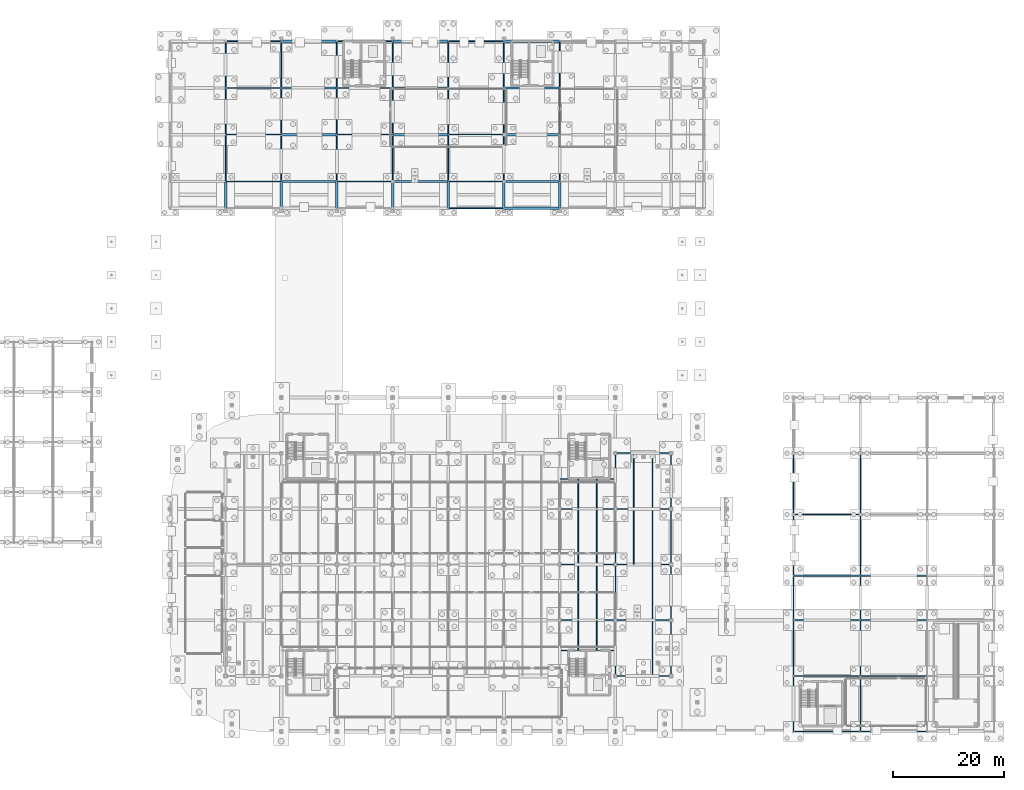
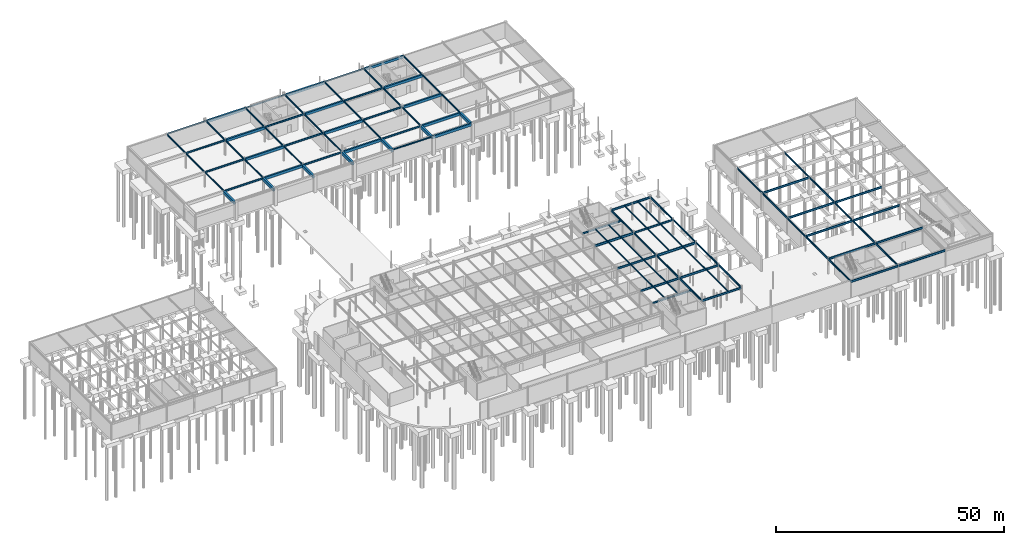
# One storey, part 58 of 75: 105 beams.
"""IFC4 building model written with IfcOpenShell, lengths in metres."""

from ifc_helpers import new_model, si_unit, derived_unit, direction, frame, origin, origin_2d_with_axis, place, context, subcontext, project, spatial, rectangle, i_section, extrude, material, material_profile, profile_set, type_object, element, save


model = new_model("IFC4")

# Units and contexts
model_context = context("Model", 3, precision=1e-05, world=origin(), true_north=direction((0.0, 1.0)))
body_context = subcontext(model_context, "Body", "Model", "MODEL_VIEW")
ifc_project = project(units=[si_unit("LENGTHUNIT", "METRE"), si_unit("AREAUNIT", "SQUARE_METRE"), si_unit("VOLUMEUNIT", "CUBIC_METRE"), si_unit("PLANEANGLEUNIT", "RADIAN"), si_unit("MASSUNIT", "GRAM", prefix="KILO"), derived_unit("THERMALTRANSMITTANCEUNIT", [(si_unit("POWERUNIT", "WATT"), 1), (si_unit("LENGTHUNIT", "METRE"), -2), (si_unit("THERMODYNAMICTEMPERATUREUNIT", "KELVIN"), -1)])], contexts=[model_context])

# Site, building, storey
site_placement = place(None, origin())
site = spatial("IfcSite", under=ifc_project, at=site_placement, CompositionType="ELEMENT")
building_placement = place(site_placement, origin())
building = spatial("IfcBuilding", under=site, at=building_placement, Name="Cinnabar Yard Market Hall", CompositionType="ELEMENT")
storey_placement = place(building_placement, frame((0.0, 0.0, -4.5)))
storey = spatial("IfcBuildingStorey", under=building, at=storey_placement, Name="B1", CompositionType="ELEMENT", Elevation=-4.5)

# Beams
ifc_material_1 = material(Name="Steel Grade 300 (300 MPa)", Category="steel")
ifc_material_profile_1 = material_profile(ifc_material_1, i_section(OverallWidth=0.208984375, OverallDepth=0.532958984375, WebThickness=0.01025390625, FlangeThickness=0.015625, FilletRadius=0.013916015625, at=origin_2d_with_axis()), Name="530UB92.4")
ifc_profile_set_1 = profile_set([ifc_material_profile_1], Name="Steel Grade 300 (300 MPa)")
beam_type_1 = type_object("IfcBeamType", Name="BM-B03", PredefinedType="BEAM", material=ifc_profile_set_1)
for number, where, z_axis, x_axis, name in (
    (1, (136.0, 34.0, 3.93359375), (1.0, 0.0, 0.0), (0.0, 1.0, 0.0), "L00 Primary Girder X 00029"),
    (2, (146.0, 24.0, 3.93359375), (1.0, 0.0, 0.0), (0.0, 1.0, 0.0), "L00 Primary Girder X 00032"),
    (3, (146.0, 64.0, 3.93359375), (1.0, 0.0, 0.0), (0.0, 1.0, 0.0), "L00 Primary Girder X 00036"),
):
    element("IfcBeam", number, at=place(storey_placement, frame(where, z_axis=z_axis, x_axis=x_axis)), inside=storey, type_object=beam_type_1, Name=name, PredefinedType="BEAM", context=body_context, shape_type="SweptSolid", body=[
        extrude(i_section(OverallWidth=0.208984375, OverallDepth=0.532958984375, WebThickness=0.01025390625, FlangeThickness=0.015625, FilletRadius=0.013916015625, at=origin_2d_with_axis()), origin(), (0.0, 0.0, 1.0), 10.0),
    ])
for number, where, z_axis, x_axis, name in (
    (4, (178.0, 14.0, 3.93359375), (1.0, 0.0, 0.0), (0.0, 1.0, 0.0), "V4 Heavy Deck Girder X 01484"),
    (5, (178.0, 24.0, 3.93359375), (1.0, 0.0, 0.0), (0.0, 1.0, 0.0), "V4 Heavy Deck Girder X 01485"),
    (6, (178.0, 34.0, 3.93359375), (1.0, 0.0, 0.0), (0.0, 1.0, 0.0), "V4 Heavy Deck Girder X 01486"),
    (7, (178.0, 42.0, 3.93359375), (1.0, 0.0, 0.0), (0.0, 1.0, 0.0), "V4 Heavy Deck Girder X 01487"),
    (8, (178.0, 53.0, 4.013427734375), (1.0, 0.0, 0.0), (0.0, 1.0, 0.0), "V4 Heavy Deck Girder X 01488"),
    (9, (190.0, 14.0, 3.93359375), (1.0, 0.0, 0.0), (0.0, 1.0, 0.0), "V4 Heavy Deck Girder X 01496"),
    (10, (190.0, 24.0, 3.93359375), (1.0, 0.0, 0.0), (0.0, 1.0, 0.0), "V4 Heavy Deck Girder X 01497"),
    (11, (190.0, 34.0, 3.93359375), (1.0, 0.0, 0.0), (0.0, 1.0, 0.0), "V4 Heavy Deck Girder X 01498"),
    (12, (190.0, 42.0, 3.93359375), (1.0, 0.0, 0.0), (0.0, 1.0, 0.0), "V4 Heavy Deck Girder X 01499"),
):
    element("IfcBeam", number, at=place(storey_placement, frame(where, z_axis=z_axis, x_axis=x_axis)), inside=storey, type_object=beam_type_1, Name=name, PredefinedType="BEAM", context=body_context, shape_type="SweptSolid", body=[
        extrude(i_section(OverallWidth=0.208984375, OverallDepth=0.532958984375, WebThickness=0.01025390625, FlangeThickness=0.015625, FilletRadius=0.013916015625, at=origin_2d_with_axis()), origin(), (0.0, 0.0, 1.0), 12.0),
    ])
ifc_material_profile_2 = material_profile(ifc_material_1, i_section(OverallWidth=0.19091796875, OverallDepth=0.46044921875, WebThickness=0.010009765625, FlangeThickness=0.01611328125, FilletRadius=0.011474609375, at=origin_2d_with_axis()), Name="460UB82.1")
ifc_profile_set_2 = profile_set([ifc_material_profile_2], Name="Steel Grade 300 (300 MPa)")
beam_type_2 = type_object("IfcBeamType", Name="BM-B04", PredefinedType="BEAM", material=ifc_profile_set_2)
for number, where, z_axis, x_axis, name in (
    (13, (146.0, 24.0, 3.9697265625), (0.0, 1.0, 0.0), (-1.0, 0.0, 0.0), "L00 Primary Girder Y 00120"),
    (14, (146.0, 34.0, 3.9697265625), (0.0, 1.0, 0.0), (-1.0, 0.0, 0.0), "L00 Primary Girder Y 00122"),
    (15, (146.0, 44.0, 3.9697265625), (0.0, 1.0, 0.0), (-1.0, 0.0, 0.0), "L00 Primary Girder Y 00124"),
    (16, (146.0, 54.0, 3.9697265625), (0.0, 1.0, 0.0), (-1.0, 0.0, 0.0), "L00 Primary Girder Y 00127"),
    (17, (156.0, 24.0, 3.9697265625), (0.0, 1.0, 0.0), (-1.0, 0.0, 0.0), "L00 Primary Girder Y 00130"),
    (18, (156.0, 34.0, 3.9697265625), (0.0, 1.0, 0.0), (-1.0, 0.0, 0.0), "L00 Primary Girder Y 00131"),
    (19, (156.0, 44.0, 3.9697265625), (0.0, 1.0, 0.0), (-1.0, 0.0, 0.0), "L00 Primary Girder Y 00132"),
    (20, (156.0, 54.0, 3.9697265625), (0.0, 1.0, 0.0), (-1.0, 0.0, 0.0), "L00 Primary Girder Y 00133"),
    (21, (178.0, 14.0, 3.9697265625), (0.0, 1.0, 0.0), (-1.0, 0.0, 0.0), "V4 Heavy Deck Girder Y 01520"),
    (22, (178.0, 24.0, 3.9697265625), (0.0, 1.0, 0.0), (-1.0, 0.0, 0.0), "V4 Heavy Deck Girder Y 01522"),
):
    element("IfcBeam", number, at=place(storey_placement, frame(where, z_axis=z_axis, x_axis=x_axis)), inside=storey, type_object=beam_type_2, Name=name, PredefinedType="BEAM", context=body_context, shape_type="SweptSolid", body=[
        extrude(i_section(OverallWidth=0.19091796875, OverallDepth=0.46044921875, WebThickness=0.010009765625, FlangeThickness=0.01611328125, FilletRadius=0.011474609375, at=origin_2d_with_axis()), origin(), (0.0, 0.0, 1.0), 10.0),
    ])
beam_1_placement = place(storey_placement, frame((178.0, 34.0, 3.9697265625), z_axis=(0.0, 1.0, 0.0), x_axis=(-1.0, 0.0, 0.0)))
element("IfcBeam", 23, at=beam_1_placement, inside=storey, type_object=beam_type_2, Name="V4 Heavy Deck Girder Y 01524", PredefinedType="BEAM", context=body_context, shape_type="SweptSolid", body=[
    extrude(i_section(OverallWidth=0.19091796875, OverallDepth=0.46044921875, WebThickness=0.010009765625, FlangeThickness=0.01611328125, FilletRadius=0.011474609375, at=origin_2d_with_axis()), origin(), (0.0, 0.0, 1.0), 8.0),
])
for number, where, z_axis, x_axis, name in (
    (24, (178.0, 42.0, 4.0498046875), (0.0, 1.0, 0.0), (-1.0, 0.0, 0.0), "V4 Heavy Deck Girder Y 01526"),
    (25, (178.0, 53.0, 4.0498046875), (0.0, 1.0, 0.0), (-1.0, 0.0, 0.0), "V4 Heavy Deck Girder Y 01527"),
):
    element("IfcBeam", number, at=place(storey_placement, frame(where, z_axis=z_axis, x_axis=x_axis)), inside=storey, type_object=beam_type_2, Name=name, PredefinedType="BEAM", context=body_context, shape_type="SweptSolid", body=[
        extrude(i_section(OverallWidth=0.19091796875, OverallDepth=0.46044921875, WebThickness=0.010009765625, FlangeThickness=0.01611328125, FilletRadius=0.011474609375, at=origin_2d_with_axis()), origin(), (0.0, 0.0, 1.0), 11.0),
    ])
for number, where, z_axis, x_axis, name in (
    (26, (190.0, 14.0, 3.9697265625), (0.0, 1.0, 0.0), (-1.0, 0.0, 0.0), "V4 Heavy Deck Girder Y 01529"),
    (27, (190.0, 24.0, 3.9697265625), (0.0, 1.0, 0.0), (-1.0, 0.0, 0.0), "V4 Heavy Deck Girder Y 01531"),
):
    element("IfcBeam", number, at=place(storey_placement, frame(where, z_axis=z_axis, x_axis=x_axis)), inside=storey, type_object=beam_type_2, Name=name, PredefinedType="BEAM", context=body_context, shape_type="SweptSolid", body=[
        extrude(i_section(OverallWidth=0.19091796875, OverallDepth=0.46044921875, WebThickness=0.010009765625, FlangeThickness=0.01611328125, FilletRadius=0.011474609375, at=origin_2d_with_axis()), origin(), (0.0, 0.0, 1.0), 10.0),
    ])
beam_2_placement = place(storey_placement, frame((190.0, 34.0, 3.9697265625), z_axis=(0.0, 1.0, 0.0), x_axis=(-1.0, 0.0, 0.0)))
element("IfcBeam", 28, at=beam_2_placement, inside=storey, type_object=beam_type_2, Name="V4 Heavy Deck Girder Y 01533", PredefinedType="BEAM", context=body_context, shape_type="SweptSolid", body=[
    extrude(i_section(OverallWidth=0.19091796875, OverallDepth=0.46044921875, WebThickness=0.010009765625, FlangeThickness=0.01611328125, FilletRadius=0.011474609375, at=origin_2d_with_axis()), origin(), (0.0, 0.0, 1.0), 8.0),
])
for number, where, z_axis, x_axis, name in (
    (29, (190.0, 42.0, 4.0498046875), (0.0, 1.0, 0.0), (-1.0, 0.0, 0.0), "V4 Heavy Deck Girder Y 01535"),
    (30, (190.0, 53.0, 4.0498046875), (0.0, 1.0, 0.0), (-1.0, 0.0, 0.0), "V4 Heavy Deck Girder Y 01536"),
):
    element("IfcBeam", number, at=place(storey_placement, frame(where, z_axis=z_axis, x_axis=x_axis)), inside=storey, type_object=beam_type_2, Name=name, PredefinedType="BEAM", context=body_context, shape_type="SweptSolid", body=[
        extrude(i_section(OverallWidth=0.19091796875, OverallDepth=0.46044921875, WebThickness=0.010009765625, FlangeThickness=0.01611328125, FilletRadius=0.011474609375, at=origin_2d_with_axis()), origin(), (0.0, 0.0, 1.0), 11.0),
    ])
ifc_material_profile_3 = material_profile(ifc_material_1, i_section(OverallWidth=0.18994140625, OverallDepth=0.453857421875, WebThickness=0.008544921875, FlangeThickness=0.0126953125, FilletRadius=0.011474609375, at=origin_2d_with_axis()), Name="460UB67.1")
ifc_profile_set_3 = profile_set([ifc_material_profile_3], Name="Steel Grade 300 (300 MPa)")
beam_type_3 = type_object("IfcBeamType", Name="BM-B05", PredefinedType="BEAM", material=ifc_profile_set_3)
for number, where, z_axis, x_axis, name in (
    (31, (136.080078125, 28.60009765625, 3.97314453125), (1.0, 0.0, 0.0), (0.0, 1.0, 0.0), "B1 Core Trimmer Girder 00140"),
    (32, (136.080078125, 59.39990234375, 3.97314453125), (1.0, 0.0, 0.0), (0.0, 1.0, 0.0), "B1 Core Trimmer Girder 00143"),
):
    element("IfcBeam", number, at=place(storey_placement, frame(where, z_axis=z_axis, x_axis=x_axis)), inside=storey, type_object=beam_type_3, Name=name, PredefinedType="BEAM", context=body_context, shape_type="SweptSolid", body=[
        extrude(i_section(OverallWidth=0.18994140625, OverallDepth=0.453857421875, WebThickness=0.008544921875, FlangeThickness=0.0126953125, FilletRadius=0.011474609375, at=origin_2d_with_axis()), origin(), (0.0, 0.0, 1.0), 9.83984375),
    ])
for number, where, z_axis, x_axis, name in (
    (33, (76.06005859375, 112.800048828125, 3.97314453125), (1.0, 0.0, 0.0), (0.0, 1.0, 0.0), "V3 B1 Girder X 00771"),
    (34, (76.06005859375, 121.199951171875, 3.97314453125), (1.0, 0.0, 0.0), (0.0, 1.0, 0.0), "V3 B1 Girder X 00772"),
    (35, (76.06005859375, 129.60009765625, 3.97314453125), (1.0, 0.0, 0.0), (0.0, 1.0, 0.0), "V3 B1 Girder X 00773"),
    (36, (96.06005859375, 112.800048828125, 3.97314453125), (1.0, 0.0, 0.0), (0.0, 1.0, 0.0), "V3 B1 Girder X 00781"),
    (37, (96.06005859375, 121.199951171875, 3.97314453125), (1.0, 0.0, 0.0), (0.0, 1.0, 0.0), "V3 B1 Girder X 00782"),
    (38, (96.06005859375, 129.60009765625, 3.97314453125), (1.0, 0.0, 0.0), (0.0, 1.0, 0.0), "V3 B1 Girder X 00783"),
    (39, (116.06005859375, 112.800048828125, 3.97314453125), (1.0, 0.0, 0.0), (0.0, 1.0, 0.0), "V3 B1 Girder X 00791"),
    (40, (116.06005859375, 121.199951171875, 3.97314453125), (1.0, 0.0, 0.0), (0.0, 1.0, 0.0), "V3 B1 Girder X 00792"),
    (41, (116.06005859375, 129.60009765625, 3.97314453125), (1.0, 0.0, 0.0), (0.0, 1.0, 0.0), "V3 B1 Girder X 00793"),
):
    element("IfcBeam", number, at=place(storey_placement, frame(where, z_axis=z_axis, x_axis=x_axis)), inside=storey, type_object=beam_type_3, Name=name, PredefinedType="BEAM", context=body_context, shape_type="SweptSolid", body=[
        extrude(i_section(OverallWidth=0.18994140625, OverallDepth=0.453857421875, WebThickness=0.008544921875, FlangeThickness=0.0126953125, FilletRadius=0.011474609375, at=origin_2d_with_axis()), origin(), (0.0, 0.0, 1.0), 9.8798828125),
    ])
ifc_material_profile_4 = material_profile(ifc_material_1, i_section(OverallWidth=0.177978515625, OverallDepth=0.406494140625, WebThickness=0.0078125, FlangeThickness=0.0126953125, FilletRadius=0.011474609375, at=origin_2d_with_axis()), Name="410UB59.7")
ifc_profile_set_4 = profile_set([ifc_material_profile_4], Name="Steel Grade 300 (300 MPa)")
beam_type_4 = type_object("IfcBeamType", Name="BM-B06", PredefinedType="BEAM", material=ifc_profile_set_4)
beam_3_placement = place(storey_placement, frame((76.0, 112.860107421875, 3.996826171875), z_axis=(0.0, 1.0, 0.0), x_axis=(-1.0, 0.0, 0.0)))
element("IfcBeam", 42, at=beam_3_placement, inside=storey, type_object=beam_type_4, Name="V3 B1 Girder Y 00820", PredefinedType="BEAM", context=body_context, shape_type="SweptSolid", body=[
    extrude(i_section(OverallWidth=0.177978515625, OverallDepth=0.406494140625, WebThickness=0.0078125, FlangeThickness=0.0126953125, FilletRadius=0.011474609375, at=origin_2d_with_axis()), origin(), (0.0, 0.0, 1.0), 8.27978515625),
])
for number, where, z_axis, x_axis, name in (
    (43, (76.0, 121.260009765625, 3.996826171875), (0.0, 1.0, 0.0), (-1.0, 0.0, 0.0), "V3 B1 Girder Y 00821"),
    (44, (76.0, 129.659912109375, 3.996826171875), (0.0, 1.0, 0.0), (-1.0, 0.0, 0.0), "V3 B1 Girder Y 00822"),
):
    element("IfcBeam", number, at=place(storey_placement, frame(where, z_axis=z_axis, x_axis=x_axis)), inside=storey, type_object=beam_type_4, Name=name, PredefinedType="BEAM", context=body_context, shape_type="SweptSolid", body=[
        extrude(i_section(OverallWidth=0.177978515625, OverallDepth=0.406494140625, WebThickness=0.0078125, FlangeThickness=0.0126953125, FilletRadius=0.011474609375, at=origin_2d_with_axis()), origin(), (0.0, 0.0, 1.0), 8.280029296875),
    ])
beam_4_placement = place(storey_placement, frame((86.0, 112.860107421875, 3.996826171875), z_axis=(0.0, 1.0, 0.0), x_axis=(-1.0, 0.0, 0.0)))
element("IfcBeam", 45, at=beam_4_placement, inside=storey, type_object=beam_type_4, Name="V3 B1 Girder Y 00824", PredefinedType="BEAM", context=body_context, shape_type="SweptSolid", body=[
    extrude(i_section(OverallWidth=0.177978515625, OverallDepth=0.406494140625, WebThickness=0.0078125, FlangeThickness=0.0126953125, FilletRadius=0.011474609375, at=origin_2d_with_axis()), origin(), (0.0, 0.0, 1.0), 8.27978515625),
])
for number, where, z_axis, x_axis, name in (
    (46, (86.0, 121.260009765625, 3.996826171875), (0.0, 1.0, 0.0), (-1.0, 0.0, 0.0), "V3 B1 Girder Y 00825"),
    (47, (86.0, 129.659912109375, 3.996826171875), (0.0, 1.0, 0.0), (-1.0, 0.0, 0.0), "V3 B1 Girder Y 00826"),
):
    element("IfcBeam", number, at=place(storey_placement, frame(where, z_axis=z_axis, x_axis=x_axis)), inside=storey, type_object=beam_type_4, Name=name, PredefinedType="BEAM", context=body_context, shape_type="SweptSolid", body=[
        extrude(i_section(OverallWidth=0.177978515625, OverallDepth=0.406494140625, WebThickness=0.0078125, FlangeThickness=0.0126953125, FilletRadius=0.011474609375, at=origin_2d_with_axis()), origin(), (0.0, 0.0, 1.0), 8.280029296875),
    ])
beam_5_placement = place(storey_placement, frame((96.0, 112.860107421875, 3.996826171875), z_axis=(0.0, 1.0, 0.0), x_axis=(-1.0, 0.0, 0.0)))
element("IfcBeam", 48, at=beam_5_placement, inside=storey, type_object=beam_type_4, Name="V3 B1 Girder Y 00828", PredefinedType="BEAM", context=body_context, shape_type="SweptSolid", body=[
    extrude(i_section(OverallWidth=0.177978515625, OverallDepth=0.406494140625, WebThickness=0.0078125, FlangeThickness=0.0126953125, FilletRadius=0.011474609375, at=origin_2d_with_axis()), origin(), (0.0, 0.0, 1.0), 8.27978515625),
])
for number, where, z_axis, x_axis, name in (
    (49, (96.0, 121.260009765625, 3.996826171875), (0.0, 1.0, 0.0), (-1.0, 0.0, 0.0), "V3 B1 Girder Y 00829"),
    (50, (96.0, 129.659912109375, 3.996826171875), (0.0, 1.0, 0.0), (-1.0, 0.0, 0.0), "V3 B1 Girder Y 00830"),
):
    element("IfcBeam", number, at=place(storey_placement, frame(where, z_axis=z_axis, x_axis=x_axis)), inside=storey, type_object=beam_type_4, Name=name, PredefinedType="BEAM", context=body_context, shape_type="SweptSolid", body=[
        extrude(i_section(OverallWidth=0.177978515625, OverallDepth=0.406494140625, WebThickness=0.0078125, FlangeThickness=0.0126953125, FilletRadius=0.011474609375, at=origin_2d_with_axis()), origin(), (0.0, 0.0, 1.0), 8.280029296875),
    ])
beam_6_placement = place(storey_placement, frame((106.0, 112.860107421875, 3.996826171875), z_axis=(0.0, 1.0, 0.0), x_axis=(-1.0, 0.0, 0.0)))
element("IfcBeam", 51, at=beam_6_placement, inside=storey, type_object=beam_type_4, Name="V3 B1 Girder Y 00832", PredefinedType="BEAM", context=body_context, shape_type="SweptSolid", body=[
    extrude(i_section(OverallWidth=0.177978515625, OverallDepth=0.406494140625, WebThickness=0.0078125, FlangeThickness=0.0126953125, FilletRadius=0.011474609375, at=origin_2d_with_axis()), origin(), (0.0, 0.0, 1.0), 8.27978515625),
])
for number, where, z_axis, x_axis, name in (
    (52, (106.0, 121.260009765625, 3.996826171875), (0.0, 1.0, 0.0), (-1.0, 0.0, 0.0), "V3 B1 Girder Y 00833"),
    (53, (106.0, 129.659912109375, 3.996826171875), (0.0, 1.0, 0.0), (-1.0, 0.0, 0.0), "V3 B1 Girder Y 00834"),
):
    element("IfcBeam", number, at=place(storey_placement, frame(where, z_axis=z_axis, x_axis=x_axis)), inside=storey, type_object=beam_type_4, Name=name, PredefinedType="BEAM", context=body_context, shape_type="SweptSolid", body=[
        extrude(i_section(OverallWidth=0.177978515625, OverallDepth=0.406494140625, WebThickness=0.0078125, FlangeThickness=0.0126953125, FilletRadius=0.011474609375, at=origin_2d_with_axis()), origin(), (0.0, 0.0, 1.0), 8.280029296875),
    ])
beam_7_placement = place(storey_placement, frame((116.0, 112.860107421875, 3.996826171875), z_axis=(0.0, 1.0, 0.0), x_axis=(-1.0, 0.0, 0.0)))
element("IfcBeam", 54, at=beam_7_placement, inside=storey, type_object=beam_type_4, Name="V3 B1 Girder Y 00836", PredefinedType="BEAM", context=body_context, shape_type="SweptSolid", body=[
    extrude(i_section(OverallWidth=0.177978515625, OverallDepth=0.406494140625, WebThickness=0.0078125, FlangeThickness=0.0126953125, FilletRadius=0.011474609375, at=origin_2d_with_axis()), origin(), (0.0, 0.0, 1.0), 8.27978515625),
])
for number, where, z_axis, x_axis, name in (
    (55, (116.0, 121.260009765625, 3.996826171875), (0.0, 1.0, 0.0), (-1.0, 0.0, 0.0), "V3 B1 Girder Y 00837"),
    (56, (116.0, 129.659912109375, 3.996826171875), (0.0, 1.0, 0.0), (-1.0, 0.0, 0.0), "V3 B1 Girder Y 00838"),
):
    element("IfcBeam", number, at=place(storey_placement, frame(where, z_axis=z_axis, x_axis=x_axis)), inside=storey, type_object=beam_type_4, Name=name, PredefinedType="BEAM", context=body_context, shape_type="SweptSolid", body=[
        extrude(i_section(OverallWidth=0.177978515625, OverallDepth=0.406494140625, WebThickness=0.0078125, FlangeThickness=0.0126953125, FilletRadius=0.011474609375, at=origin_2d_with_axis()), origin(), (0.0, 0.0, 1.0), 8.280029296875),
    ])
beam_8_placement = place(storey_placement, frame((126.0, 112.860107421875, 3.996826171875), z_axis=(0.0, 1.0, 0.0), x_axis=(-1.0, 0.0, 0.0)))
element("IfcBeam", 57, at=beam_8_placement, inside=storey, type_object=beam_type_4, Name="V3 B1 Girder Y 00840", PredefinedType="BEAM", context=body_context, shape_type="SweptSolid", body=[
    extrude(i_section(OverallWidth=0.177978515625, OverallDepth=0.406494140625, WebThickness=0.0078125, FlangeThickness=0.0126953125, FilletRadius=0.011474609375, at=origin_2d_with_axis()), origin(), (0.0, 0.0, 1.0), 8.27978515625),
])
for number, where, z_axis, x_axis, name in (
    (58, (126.0, 121.260009765625, 3.996826171875), (0.0, 1.0, 0.0), (-1.0, 0.0, 0.0), "V3 B1 Girder Y 00841"),
    (59, (126.0, 129.659912109375, 3.996826171875), (0.0, 1.0, 0.0), (-1.0, 0.0, 0.0), "V3 B1 Girder Y 00842"),
):
    element("IfcBeam", number, at=place(storey_placement, frame(where, z_axis=z_axis, x_axis=x_axis)), inside=storey, type_object=beam_type_4, Name=name, PredefinedType="BEAM", context=body_context, shape_type="SweptSolid", body=[
        extrude(i_section(OverallWidth=0.177978515625, OverallDepth=0.406494140625, WebThickness=0.0078125, FlangeThickness=0.0126953125, FilletRadius=0.011474609375, at=origin_2d_with_axis()), origin(), (0.0, 0.0, 1.0), 8.280029296875),
    ])
beam_9_placement = place(storey_placement, frame((136.0, 112.860107421875, 3.996826171875), z_axis=(0.0, 1.0, 0.0), x_axis=(-1.0, 0.0, 0.0)))
element("IfcBeam", 60, at=beam_9_placement, inside=storey, type_object=beam_type_4, Name="V3 B1 Girder Y 00844", PredefinedType="BEAM", context=body_context, shape_type="SweptSolid", body=[
    extrude(i_section(OverallWidth=0.177978515625, OverallDepth=0.406494140625, WebThickness=0.0078125, FlangeThickness=0.0126953125, FilletRadius=0.011474609375, at=origin_2d_with_axis()), origin(), (0.0, 0.0, 1.0), 8.27978515625),
])
for number, where, z_axis, x_axis, name in (
    (61, (136.0, 121.260009765625, 3.996826171875), (0.0, 1.0, 0.0), (-1.0, 0.0, 0.0), "V3 B1 Girder Y 00845"),
    (62, (136.0, 129.659912109375, 3.996826171875), (0.0, 1.0, 0.0), (-1.0, 0.0, 0.0), "V3 B1 Girder Y 00846"),
):
    element("IfcBeam", number, at=place(storey_placement, frame(where, z_axis=z_axis, x_axis=x_axis)), inside=storey, type_object=beam_type_4, Name=name, PredefinedType="BEAM", context=body_context, shape_type="SweptSolid", body=[
        extrude(i_section(OverallWidth=0.177978515625, OverallDepth=0.406494140625, WebThickness=0.0078125, FlangeThickness=0.0126953125, FilletRadius=0.011474609375, at=origin_2d_with_axis()), origin(), (0.0, 0.0, 1.0), 8.280029296875),
    ])
ifc_material_profile_5 = material_profile(ifc_material_1, i_section(OverallWidth=0.20703125, OverallDepth=0.5283203125, WebThickness=0.009521484375, FlangeThickness=0.01318359375, FilletRadius=0.013916015625, at=origin_2d_with_axis()), Name="530UB82.0")
ifc_profile_set_5 = profile_set([ifc_material_profile_5], Name="Steel Grade 300 (300 MPa)")
beam_type_5 = type_object("IfcBeamType", Name="BM-B08", PredefinedType="BEAM", material=ifc_profile_set_5)
for number, where, z_axis, x_axis, name in (
    (63, (136.0, 44.0, 3.935791015625), (1.0, 0.0, 0.0), (0.0, 1.0, 0.0), "L00 Primary Girder X 00030"),
    (64, (146.0, 34.0, 3.935791015625), (1.0, 0.0, 0.0), (0.0, 1.0, 0.0), "L00 Primary Girder X 00033"),
):
    element("IfcBeam", number, at=place(storey_placement, frame(where, z_axis=z_axis, x_axis=x_axis)), inside=storey, type_object=beam_type_5, Name=name, PredefinedType="BEAM", context=body_context, shape_type="SweptSolid", body=[
        extrude(i_section(OverallWidth=0.20703125, OverallDepth=0.5283203125, WebThickness=0.009521484375, FlangeThickness=0.01318359375, FilletRadius=0.013916015625, at=origin_2d_with_axis()), origin(), (0.0, 0.0, 1.0), 10.0),
    ])
ifc_material_profile_6 = material_profile(ifc_material_1, i_section(OverallWidth=0.22802734375, OverallDepth=0.60693359375, WebThickness=0.01123046875, FlangeThickness=0.017333984375, FilletRadius=0.013916015625, at=origin_2d_with_axis()), Name="610UB113")
ifc_profile_set_6 = profile_set([ifc_material_profile_6], Name="Steel Grade 300 (300 MPa)")
beam_type_6 = type_object("IfcBeamType", Name="BM-B12", PredefinedType="BEAM", material=ifc_profile_set_6)
for number, where, z_axis, x_axis, name in (
    (65, (136.0, 54.0, 3.896484375), (1.0, 0.0, 0.0), (0.0, 1.0, 0.0), "L00 Primary Girder X 00031"),
    (66, (146.0, 44.0, 3.896484375), (1.0, 0.0, 0.0), (0.0, 1.0, 0.0), "L00 Primary Girder X 00034"),
):
    element("IfcBeam", number, at=place(storey_placement, frame(where, z_axis=z_axis, x_axis=x_axis)), inside=storey, type_object=beam_type_6, Name=name, PredefinedType="BEAM", context=body_context, shape_type="SweptSolid", body=[
        extrude(i_section(OverallWidth=0.22802734375, OverallDepth=0.60693359375, WebThickness=0.01123046875, FlangeThickness=0.017333984375, FilletRadius=0.013916015625, at=origin_2d_with_axis()), origin(), (0.0, 0.0, 1.0), 10.0),
    ])
ifc_material_profile_7 = material_profile(ifc_material_1, i_section(OverallWidth=0.18994140625, OverallDepth=0.45751953125, WebThickness=0.009033203125, FlangeThickness=0.014404296875, FilletRadius=0.011474609375, at=origin_2d_with_axis()), Name="460UB74.6")
ifc_profile_set_7 = profile_set([ifc_material_profile_7], Name="Steel Grade 300 (300 MPa)")
beam_type_7 = type_object("IfcBeamType", Name="BM-B13", PredefinedType="BEAM", material=ifc_profile_set_7)
beam_10_placement = place(storey_placement, frame((146.0, 54.0, 3.97119140625), z_axis=(1.0, 0.0, 0.0), x_axis=(0.0, 1.0, 0.0)))
element("IfcBeam", 67, at=beam_10_placement, inside=storey, type_object=beam_type_7, Name="L00 Primary Girder X 00035", PredefinedType="BEAM", context=body_context, shape_type="SweptSolid", body=[
    extrude(i_section(OverallWidth=0.18994140625, OverallDepth=0.45751953125, WebThickness=0.009033203125, FlangeThickness=0.014404296875, FilletRadius=0.011474609375, at=origin_2d_with_axis()), origin(), (0.0, 0.0, 1.0), 10.0),
])
ifc_material_profile_8 = material_profile(ifc_material_1, i_section(OverallWidth=0.166015625, OverallDepth=0.30712890625, WebThickness=0.006591796875, FlangeThickness=0.01171875, FilletRadius=0.011474609375, at=origin_2d_with_axis()), Name="310UB46.2")
ifc_profile_set_8 = profile_set([ifc_material_profile_8], Name="Steel Grade 300 (300 MPa)")
beam_type_8 = type_object("IfcBeamType", Name="BM-J01", PredefinedType="JOIST", material=ifc_profile_set_8)
for number, where, z_axis, x_axis, name in (
    (68, (139.330078125, 28.675048828125, 4.04638671875), (0.0, 1.0, 0.0), (-1.0, 0.0, 0.0), "L00 Floor Joist 00109"),
    (69, (142.669921875, 28.675048828125, 4.04638671875), (0.0, 1.0, 0.0), (-1.0, 0.0, 0.0), "L00 Floor Joist 00110"),
):
    element("IfcBeam", number, at=place(storey_placement, frame(where, z_axis=z_axis, x_axis=x_axis)), inside=storey, type_object=beam_type_8, Name=name, PredefinedType="JOIST", context=body_context, shape_type="SweptSolid", body=[
        extrude(i_section(OverallWidth=0.166015625, OverallDepth=0.30712890625, WebThickness=0.006591796875, FlangeThickness=0.01171875, FilletRadius=0.011474609375, at=origin_2d_with_axis()), origin(), (0.0, 0.0, 1.0), 5.25),
    ])
for number, where, z_axis, x_axis, name in (
    (70, (139.330078125, 34.074951171875, 4.04638671875), (0.0, 1.0, 0.0), (-1.0, 0.0, 0.0), "L00 Floor Joist 00112"),
    (71, (142.669921875, 34.074951171875, 4.04638671875), (0.0, 1.0, 0.0), (-1.0, 0.0, 0.0), "L00 Floor Joist 00113"),
    (72, (139.330078125, 44.074951171875, 4.04638671875), (0.0, 1.0, 0.0), (-1.0, 0.0, 0.0), "L00 Floor Joist 00115"),
    (73, (142.669921875, 44.074951171875, 4.04638671875), (0.0, 1.0, 0.0), (-1.0, 0.0, 0.0), "L00 Floor Joist 00116"),
):
    element("IfcBeam", number, at=place(storey_placement, frame(where, z_axis=z_axis, x_axis=x_axis)), inside=storey, type_object=beam_type_8, Name=name, PredefinedType="JOIST", context=body_context, shape_type="SweptSolid", body=[
        extrude(i_section(OverallWidth=0.166015625, OverallDepth=0.30712890625, WebThickness=0.006591796875, FlangeThickness=0.01171875, FilletRadius=0.011474609375, at=origin_2d_with_axis()), origin(), (0.0, 0.0, 1.0), 9.85009765625),
    ])
for number, where, z_axis, x_axis, name in (
    (74, (139.330078125, 54.074951171875, 4.04638671875), (0.0, 1.0, 0.0), (-1.0, 0.0, 0.0), "L00 Floor Joist 00118"),
    (75, (142.669921875, 54.074951171875, 4.04638671875), (0.0, 1.0, 0.0), (-1.0, 0.0, 0.0), "L00 Floor Joist 00119"),
):
    element("IfcBeam", number, at=place(storey_placement, frame(where, z_axis=z_axis, x_axis=x_axis)), inside=storey, type_object=beam_type_8, Name=name, PredefinedType="JOIST", context=body_context, shape_type="SweptSolid", body=[
        extrude(i_section(OverallWidth=0.166015625, OverallDepth=0.30712890625, WebThickness=0.006591796875, FlangeThickness=0.01171875, FilletRadius=0.011474609375, at=origin_2d_with_axis()), origin(), (0.0, 0.0, 1.0), 5.25),
    ])
for number, where, z_axis, x_axis, name in (
    (76, (152.669921875, 24.074951171875, 4.04638671875), (0.0, 1.0, 0.0), (-1.0, 0.0, 0.0), "L00 Floor Joist 00121"),
    (77, (152.669921875, 34.074951171875, 4.04638671875), (0.0, 1.0, 0.0), (-1.0, 0.0, 0.0), "L00 Floor Joist 00123"),
    (78, (149.330078125, 44.074951171875, 4.04638671875), (0.0, 1.0, 0.0), (-1.0, 0.0, 0.0), "L00 Floor Joist 00125"),
    (79, (152.669921875, 44.074951171875, 4.04638671875), (0.0, 1.0, 0.0), (-1.0, 0.0, 0.0), "L00 Floor Joist 00126"),
    (80, (149.330078125, 54.074951171875, 4.04638671875), (0.0, 1.0, 0.0), (-1.0, 0.0, 0.0), "L00 Floor Joist 00128"),
    (81, (152.669921875, 54.074951171875, 4.04638671875), (0.0, 1.0, 0.0), (-1.0, 0.0, 0.0), "L00 Floor Joist 00129"),
):
    element("IfcBeam", number, at=place(storey_placement, frame(where, z_axis=z_axis, x_axis=x_axis)), inside=storey, type_object=beam_type_8, Name=name, PredefinedType="JOIST", context=body_context, shape_type="SweptSolid", body=[
        extrude(i_section(OverallWidth=0.166015625, OverallDepth=0.30712890625, WebThickness=0.006591796875, FlangeThickness=0.01171875, FilletRadius=0.011474609375, at=origin_2d_with_axis()), origin(), (0.0, 0.0, 1.0), 9.85009765625),
    ])
ifc_material_2 = material(Name="Concrete 40 MPa", Category="concrete")
ifc_material_profile_9 = material_profile(ifc_material_2, rectangle(XDim=0.39990234375, YDim=0.699951171875, at=origin_2d_with_axis()), Name="RCB-400x700")
ifc_profile_set_9 = profile_set([ifc_material_profile_9], Name="Concrete 40 MPa")
beam_type_9 = type_object("IfcBeamType", Name="BM-RCB1", PredefinedType="BEAM", material=ifc_profile_set_9)
for number, where, z_axis, x_axis, name in (
    (82, (86.06005859375, 112.800048828125, 3.85009765625), (1.0, 0.0, 0.0), (0.0, 1.0, 0.0), "V3 B1 Girder X 00776"),
    (83, (86.06005859375, 121.199951171875, 3.85009765625), (1.0, 0.0, 0.0), (0.0, 1.0, 0.0), "V3 B1 Girder X 00777"),
    (84, (86.06005859375, 129.60009765625, 3.85009765625), (1.0, 0.0, 0.0), (0.0, 1.0, 0.0), "V3 B1 Girder X 00778"),
    (85, (86.06005859375, 138.0, 3.85009765625), (1.0, 0.0, 0.0), (0.0, 1.0, 0.0), "V3 B1 Girder X 00779"),
    (86, (106.06005859375, 112.800048828125, 3.85009765625), (1.0, 0.0, 0.0), (0.0, 1.0, 0.0), "V3 B1 Girder X 00786"),
    (87, (106.06005859375, 121.199951171875, 3.85009765625), (1.0, 0.0, 0.0), (0.0, 1.0, 0.0), "V3 B1 Girder X 00787"),
    (88, (106.06005859375, 129.60009765625, 3.85009765625), (1.0, 0.0, 0.0), (0.0, 1.0, 0.0), "V3 B1 Girder X 00788"),
    (89, (106.06005859375, 138.0, 3.85009765625), (1.0, 0.0, 0.0), (0.0, 1.0, 0.0), "V3 B1 Girder X 00789"),
    (90, (126.06005859375, 108.0, 3.85009765625), (1.0, 0.0, 0.0), (0.0, 1.0, 0.0), "V3 B1 Girder X 00795"),
    (91, (126.06005859375, 112.800048828125, 3.85009765625), (1.0, 0.0, 0.0), (0.0, 1.0, 0.0), "V3 B1 Girder X 00796"),
    (92, (126.06005859375, 121.199951171875, 3.85009765625), (1.0, 0.0, 0.0), (0.0, 1.0, 0.0), "V3 B1 Girder X 00797"),
    (93, (126.06005859375, 129.60009765625, 3.85009765625), (1.0, 0.0, 0.0), (0.0, 1.0, 0.0), "V3 B1 Girder X 00798"),
    (94, (126.06005859375, 138.0, 3.85009765625), (1.0, 0.0, 0.0), (0.0, 1.0, 0.0), "V3 B1 Girder X 00799"),
):
    element("IfcBeam", number, at=place(storey_placement, frame(where, z_axis=z_axis, x_axis=x_axis)), inside=storey, type_object=beam_type_9, Name=name, PredefinedType="BEAM", context=body_context, shape_type="SweptSolid", body=[
        extrude(rectangle(XDim=0.39990234375, YDim=0.699951171875, at=origin_2d_with_axis()), origin(), (0.0, 0.0, 1.0), 9.8798828125),
    ])
ifc_material_profile_10 = material_profile(ifc_material_2, rectangle(XDim=0.449951171875, YDim=0.85009765625, at=origin_2d_with_axis()), Name="RCB-450x850")
ifc_profile_set_10 = profile_set([ifc_material_profile_10], Name="Concrete 40 MPa")
beam_type_10 = type_object("IfcBeamType", Name="BM-RCB2", PredefinedType="BEAM", material=ifc_profile_set_10)
for number, where, z_axis, x_axis, name in (
    (95, (76.0, 108.06005859375, 3.77490234375), (0.0, 1.0, 0.0), (-1.0, 0.0, 0.0), "V3 B1 Girder Y 00819"),
    (96, (86.0, 108.06005859375, 3.77490234375), (0.0, 1.0, 0.0), (-1.0, 0.0, 0.0), "V3 B1 Girder Y 00823"),
    (97, (96.0, 108.06005859375, 3.77490234375), (0.0, 1.0, 0.0), (-1.0, 0.0, 0.0), "V3 B1 Girder Y 00827"),
    (98, (106.0, 108.06005859375, 3.77490234375), (0.0, 1.0, 0.0), (-1.0, 0.0, 0.0), "V3 B1 Girder Y 00831"),
    (99, (116.0, 108.06005859375, 3.77490234375), (0.0, 1.0, 0.0), (-1.0, 0.0, 0.0), "V3 B1 Girder Y 00835"),
    (100, (126.0, 108.06005859375, 3.77490234375), (0.0, 1.0, 0.0), (-1.0, 0.0, 0.0), "V3 B1 Girder Y 00839"),
    (101, (136.0, 108.06005859375, 3.77490234375), (0.0, 1.0, 0.0), (-1.0, 0.0, 0.0), "V3 B1 Girder Y 00843"),
):
    element("IfcBeam", number, at=place(storey_placement, frame(where, z_axis=z_axis, x_axis=x_axis)), inside=storey, type_object=beam_type_10, Name=name, PredefinedType="BEAM", context=body_context, shape_type="SweptSolid", body=[
        extrude(rectangle(XDim=0.449951171875, YDim=0.85009765625, at=origin_2d_with_axis()), origin(), (0.0, 0.0, 1.0), 4.679931640625),
    ])
ifc_material_profile_11 = material_profile(ifc_material_1, i_section(OverallWidth=0.172119140625, OverallDepth=0.358642578125, WebThickness=0.008056640625, FlangeThickness=0.012939453125, FilletRadius=0.011474609375, at=origin_2d_with_axis()), Name="360UB56.7")
ifc_profile_set_11 = profile_set([ifc_material_profile_11], Name="Steel Grade 300 (300 MPa)")
beam_type_11 = type_object("IfcBeamType", Name="BM-SP02", PredefinedType="SPANDREL", material=ifc_profile_set_11)
for number, where, z_axis, x_axis, name in (
    (102, (76.06005859375, 138.0, 4.020751953125), (1.0, 0.0, 0.0), (0.0, 1.0, 0.0), "V3 B1 Girder X 00774"),
    (103, (96.06005859375, 138.0, 4.020751953125), (1.0, 0.0, 0.0), (0.0, 1.0, 0.0), "V3 B1 Girder X 00784"),
    (104, (116.06005859375, 108.0, 4.020751953125), (1.0, 0.0, 0.0), (0.0, 1.0, 0.0), "V3 B1 Girder X 00790"),
    (105, (116.06005859375, 138.0, 4.020751953125), (1.0, 0.0, 0.0), (0.0, 1.0, 0.0), "V3 B1 Girder X 00794"),
):
    element("IfcBeam", number, at=place(storey_placement, frame(where, z_axis=z_axis, x_axis=x_axis)), inside=storey, type_object=beam_type_11, Name=name, PredefinedType="SPANDREL", context=body_context, shape_type="SweptSolid", body=[
        extrude(i_section(OverallWidth=0.172119140625, OverallDepth=0.358642578125, WebThickness=0.008056640625, FlangeThickness=0.012939453125, FilletRadius=0.011474609375, at=origin_2d_with_axis()), origin(), (0.0, 0.0, 1.0), 9.8798828125),
    ])

save(model, "model.ifc")
